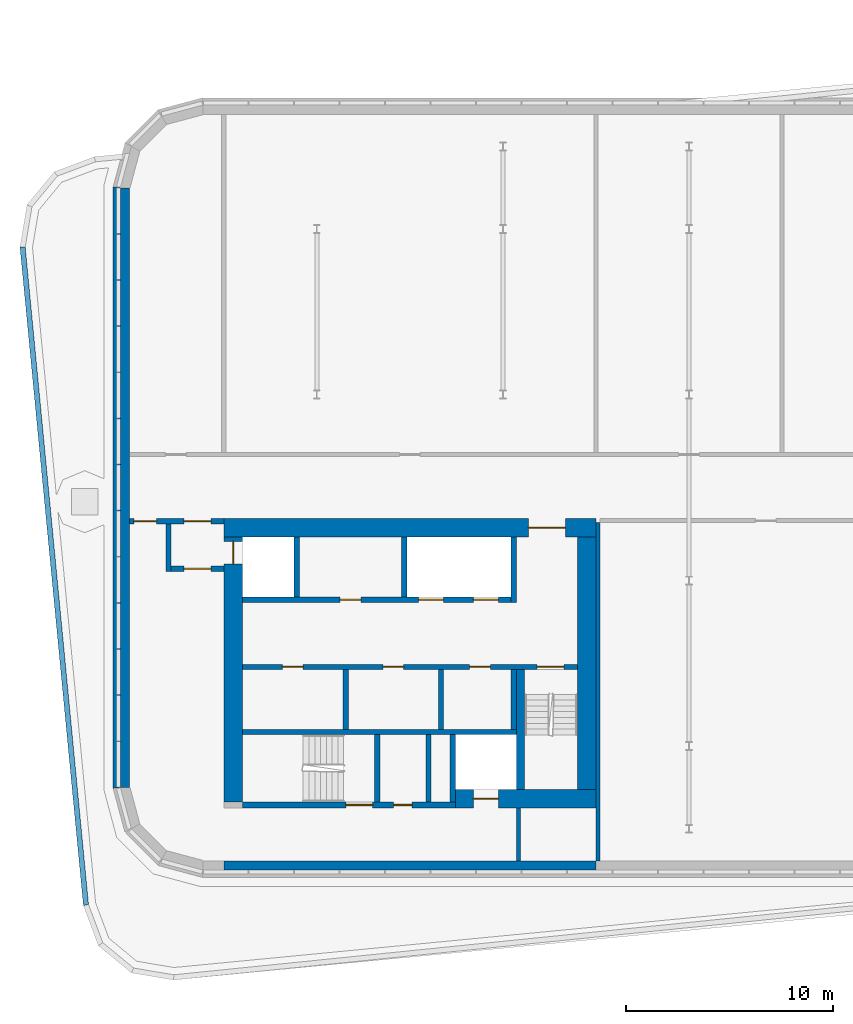
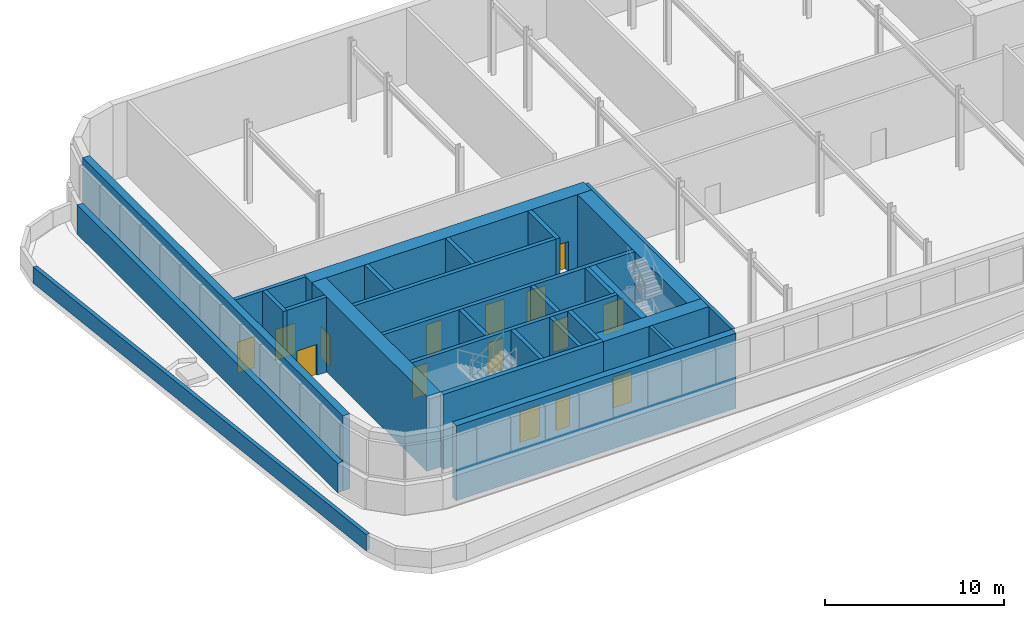
# One storey, part 6 of 16: 27 walls, 15 doors, 15 openings.
"""IFC4 building model written with IfcOpenShell, lengths in metres."""

import ifcopenshell
import ifcopenshell.guid

model = None  # the IFC model being written
_history = None  # IfcOwnerHistory: only IFC2X3 demands one
_inside = {}  # id of a spatial element -> (the spatial element, [elements in it])
_under = {}  # id of a project, library or spatial element -> (it, [spatial elements below it])
_declared = {}  # id of a project -> (the project, [libraries it declares])
_typed = {}  # id of a type object -> (the type object, [elements of that type])
_made_of = {}  # id of a material, layer set ... -> (it, [elements and type objects made of it])


def new_model(schema):
    """Start an empty IFC model of exactly this schema.

    Asked for "IFC4X3", IfcOpenShell would pick the latest addendum, in which some entities
    have other attributes; the version numbers below select the first issue.
    IFC2X3 requires an IfcOwnerHistory on every rooted entity: one is made here for all.
    """
    global model, _history
    if schema == "IFC4X3":
        model = ifcopenshell.file(schema_version=(4, 3, 0, 0))
    else:
        model = ifcopenshell.file(schema=schema)
    _inside.clear()
    _under.clear()
    _declared.clear()
    _typed.clear()
    _made_of.clear()
    _history = None
    if model.schema == "IFC2X3":
        org = make("IfcOrganization", Name="unknown")
        user = make(
            "IfcPersonAndOrganization",
            ThePerson=make("IfcPerson", FamilyName="unknown"),
            TheOrganization=org,
        )
        app = make(
            "IfcApplication",
            ApplicationDeveloper=org,
            Version="unknown",
            ApplicationFullName="unknown",
            ApplicationIdentifier="unknown",
        )
        _history = make(
            "IfcOwnerHistory",
            OwningUser=user,
            OwningApplication=app,
            ChangeAction="ADDED",
            CreationDate=0,
        )
    return model


def make(cls, **values):
    """One entity of the class cls with the attributes given. An attribute that is None is left unset."""
    return model.create_entity(
        cls, **{name: value for name, value in values.items() if value is not None}
    )


def rooted(cls, **values):
    """An entity with a GlobalId (a new one), such as an element, a storey or a relation."""
    return make(cls, GlobalId=ifcopenshell.guid.new(), OwnerHistory=_history, **values)


def si_unit(unit_type, name, prefix=None):
    """IfcSIUnit, for example si_unit("LENGTHUNIT", "METRE", prefix="MILLI")."""
    return make("IfcSIUnit", UnitType=unit_type, Prefix=prefix, Name=name)


def assignment(units):
    """IfcUnitAssignment: the units of a project."""
    return None if units is None else make("IfcUnitAssignment", Units=units)


def point(xyz):
    """IfcCartesianPoint."""
    return None if xyz is None else make("IfcCartesianPoint", Coordinates=xyz)


def direction(xyz):
    """IfcDirection."""
    return None if xyz is None else make("IfcDirection", DirectionRatios=xyz)


def frame(location, z_axis=None, x_axis=None):
    """IfcAxis2Placement3D, a coordinate frame: its origin and axes. An axis left out is left unset."""
    return make(
        "IfcAxis2Placement3D",
        Location=point(location),
        Axis=direction(z_axis),
        RefDirection=direction(x_axis),
    )


def frame_2d(location, x_axis=None):
    """IfcAxis2Placement2D, a coordinate frame in the plane: its origin and x axis."""
    return make(
        "IfcAxis2Placement2D", Location=point(location), RefDirection=direction(x_axis)
    )


def origin():
    """The frame at (0, 0, 0) with its axes left unset."""
    return frame((0.0, 0.0, 0.0))


def place(relative_to, where):
    """IfcLocalPlacement: puts the frame where relative to a parent placement (None: the world)."""
    return make(
        "IfcLocalPlacement", PlacementRelTo=relative_to, RelativePlacement=where
    )


def context(
    kind, dimensions, precision=None, world=None, true_north=None, identifier=None
):
    """IfcGeometricRepresentationContext, for example the 3D "Model" context."""
    return make(
        "IfcGeometricRepresentationContext",
        ContextIdentifier=identifier,
        ContextType=kind,
        CoordinateSpaceDimension=dimensions,
        Precision=precision,
        WorldCoordinateSystem=world,
        TrueNorth=true_north,
    )


def subcontext(parent, identifier, kind, view, scale=None):
    """IfcGeometricRepresentationSubContext, for example "Body" below "Model"."""
    return make(
        "IfcGeometricRepresentationSubContext",
        ContextIdentifier=identifier,
        ContextType=kind,
        ParentContext=parent,
        TargetScale=scale,
        TargetView=view,
    )


def project(units=None, contexts=None):
    """IfcProject with its units and contexts."""
    return rooted(
        "IfcProject",
        Name="project",
        RepresentationContexts=contexts,
        UnitsInContext=assignment(units),
    )


def spatial(cls, under=None, at=None, **own):
    """A site, building, storey or space (cls), placed at a placement, below another one or the project."""
    s = rooted(cls, ObjectPlacement=at, **own)
    if under is not None:
        _under.setdefault(under.id(), (under, []))[1].append(s)
    return s


def polyline(points):
    """IfcPolyline through the points."""
    return make("IfcPolyline", Points=[point(p) for p in points])


def profile(cls, at=None, kind="AREA", **sizes):
    """A parametric profile (cls). Its sizes go by their IFC names, for example OverallWidth=200.0."""
    return make(cls, ProfileType=kind, Position=at, **sizes)


def rectangle(**sizes):
    """IfcRectangleProfileDef."""
    return profile("IfcRectangleProfileDef", **sizes)


def outline(outer, holes=None, kind="AREA"):
    """IfcArbitraryClosedProfileDef: a profile drawn as a closed curve; with holes, ...WithVoids."""
    if holes is None:
        return make("IfcArbitraryClosedProfileDef", ProfileType=kind, OuterCurve=outer)
    return make(
        "IfcArbitraryProfileDefWithVoids",
        ProfileType=kind,
        OuterCurve=outer,
        InnerCurves=holes,
    )


def extrude(swept, where, along, depth):
    """IfcExtrudedAreaSolid: the profile swept, set in the frame where, extruded along a direction by depth."""
    return make(
        "IfcExtrudedAreaSolid",
        SweptArea=swept,
        Position=where,
        ExtrudedDirection=direction(along),
        Depth=depth,
    )


def shape(context_of_items, identifier, shape_type, items):
    """IfcShapeRepresentation: the items that make up one representation, for example the "Body"."""
    return make(
        "IfcShapeRepresentation",
        ContextOfItems=context_of_items,
        RepresentationIdentifier=identifier,
        RepresentationType=shape_type,
        Items=items,
    )


def material(Name=None, Category=None):
    """IfcMaterial."""
    return make("IfcMaterial", Name=Name, Category=Category)


def layer(
    of_material, thickness, ventilated=None, Name=None, Category=None, Priority=None
):
    """IfcMaterialLayer: one layer of a wall or slab, of a material (None: an air gap)."""
    return make(
        "IfcMaterialLayer",
        Material=of_material,
        LayerThickness=thickness,
        IsVentilated=ventilated,
        Name=Name,
        Category=Category,
        Priority=Priority,
    )


def layer_set(layers, Name=None):
    """IfcMaterialLayerSet."""
    return make("IfcMaterialLayerSet", MaterialLayers=layers, LayerSetName=Name)


def made_of(thing, what):
    """Note that an element or type object is made of a material, layer set ...; save() writes the relation."""
    if what is not None:
        _made_of.setdefault(what.id(), (what, []))[1].append(thing)
    return thing


def type_object(cls, material=None, **own):
    """A type object (cls), such as IfcWallType, which elements share."""
    return made_of(rooted(cls, **own), material)


def element(
    cls,
    number,
    at=None,
    inside=None,
    cuts=None,
    type_object=None,
    material=None,
    context=None,
    identifier="Body",
    shape_type=None,
    held_by="IfcProductDefinitionShape",
    body=None,
    shapes=None,
    **own,
):
    """One element of the class cls, such as IfcWall. Its Tag is "e" and its number.

    at: its placement. inside: the storey or other place that contains it. cuts: it is an
    opening in that element (IfcRelVoidsElement). A single representation is given by context,
    identifier, shape_type and body (its items); several are given by shapes. held_by: the class
    of the entity that holds the representations. save() writes the other relations.
    """
    e = rooted(cls, Tag="e%d" % number, ObjectPlacement=at, **own)
    if body is not None:
        shapes = [shape(context, identifier, shape_type, body)]
    if shapes is not None:
        e.Representation = make(held_by, Representations=shapes)
    if inside is not None:
        _inside.setdefault(inside.id(), (inside, []))[1].append(e)
    if cuts is not None:
        rooted(
            "IfcRelVoidsElement", RelatingBuildingElement=cuts, RelatedOpeningElement=e
        )
    if type_object is not None:
        _typed.setdefault(type_object.id(), (type_object, []))[1].append(e)
    return made_of(e, material)


def fill(opening, filler):
    """IfcRelFillsElement: the door or window that sits in an opening."""
    return rooted(
        "IfcRelFillsElement",
        RelatingOpeningElement=opening,
        RelatedBuildingElement=filler,
    )


def aggregate(whole, parts):
    """IfcRelAggregates: a whole, such as a stair, and the parts it consists of."""
    return rooted("IfcRelAggregates", RelatingObject=whole, RelatedObjects=parts)


def save(model, path):
    """Write the relations noted so far, then the file.

    IfcRelAggregates (storeys below a building ...), IfcRelContainedInSpatialStructure (elements
    in a storey), IfcRelDefinesByType, IfcRelAssociatesMaterial and IfcRelDeclares: one each for
    every whole, place, type object, material and project.
    """
    for whole, parts in _under.values():
        aggregate(whole, parts)
    for where, things in _inside.values():
        rooted(
            "IfcRelContainedInSpatialStructure",
            RelatedElements=things,
            RelatingStructure=where,
        )
    for kind, things in _typed.values():
        rooted("IfcRelDefinesByType", RelatedObjects=things, RelatingType=kind)
    for what, things in _made_of.values():
        rooted("IfcRelAssociatesMaterial", RelatedObjects=things, RelatingMaterial=what)
    for by, libraries in _declared.values():
        rooted("IfcRelDeclares", RelatingContext=by, RelatedDefinitions=libraries)
    model.write(path)


model = new_model("IFC4")

# Units and contexts
model_context = context("Model", 3, precision=1e-05, world=origin(), true_north=direction((0.0, 1.0)))
body_context = subcontext(model_context, "Body", "Model", "MODEL_VIEW")
ifc_project = project(units=[si_unit("LENGTHUNIT", "METRE"), si_unit("AREAUNIT", "SQUARE_METRE"), si_unit("VOLUMEUNIT", "CUBIC_METRE"), si_unit("PLANEANGLEUNIT", "RADIAN"), si_unit("MASSUNIT", "GRAM", prefix="KILO")], contexts=[model_context])

# Site, building, storey
site_placement = place(None, origin())
site = spatial("IfcSite", under=ifc_project, at=site_placement, CompositionType="ELEMENT")
building_placement = place(site_placement, origin())
building = spatial("IfcBuilding", under=site, at=building_placement, Name="Kajstack Hotel Tower", CompositionType="ELEMENT")
storey_placement = place(building_placement, frame((0.0, 0.0, 308.10009765625)))
storey = spatial("IfcBuildingStorey", under=building, at=storey_placement, Name="L78", CompositionType="ELEMENT", Elevation=308.10009765625)

# Wall
ifc_material_1 = material(Name="Concrete C40/50", Category="concrete")
ifc_layer_1 = layer(ifc_material_1, 0.35009765625)
ifc_layer_set_1 = layer_set([ifc_layer_1], Name="CROWN-BAND")
wall_type_1 = type_object("IfcWallType", Name="CROWN-BAND", PredefinedType="SOLIDWALL", material=ifc_layer_set_1)
wall_1_placement = place(storey_placement, origin())
element("IfcWall", 1, at=wall_1_placement, inside=storey, type_object=wall_type_1, Name="Crown band 22", PredefinedType="SOLIDWALL", context=body_context, shape_type="SweptSolid", body=[
    extrude(outline(polyline([(-36.5, 14.5), (-36.85009765625, 14.546142578125), (-36.85009765625, -14.546142578125), (-36.5, -14.5), (-36.5, 14.5)])), origin(), (0.0, 0.0, 1.0), 2.0),
])

# Wall, opening, door
ifc_material_2 = material(Name="Concrete C60/75", Category="concrete")
ifc_layer_2 = layer(ifc_material_2, 0.89990234375)
ifc_layer_set_2 = layer_set([ifc_layer_2], Name="Core wall 900")
wall_type_2 = type_object("IfcWallType", Name="Core wall 900", PredefinedType="SHEAR", material=ifc_layer_set_2)
wall_2_placement = place(storey_placement, frame((-31.5, -1.949951171875, 0.0), z_axis=(0.0, 0.0, 1.0), x_axis=(1.0, 0.0, 0.0)))
wall_2 = element("IfcWall", 2, at=wall_2_placement, inside=storey, type_object=wall_type_2, Name="Core wall W RN", PredefinedType="SHEAR", context=body_context, shape_type="SweptSolid", body=[
    extrude(rectangle(XDim=18.0, YDim=0.89990234375, at=frame_2d((9.0, 0.0))), origin(), (0.0, 0.0, 1.0), 5.099853515625),
])
opening_1_placement = place(wall_2_placement, frame((14.72509765625, 0.0, 0.0)))
opening_1 = element("IfcOpeningElement", 3, at=opening_1_placement, cuts=wall_2, Name="Opening 78W05", PredefinedType="OPENING", context=body_context, shape_type="SweptSolid", body=[
    extrude(rectangle(XDim=1.800048828125, YDim=2.10009765625, at=frame_2d((0.89990234375, 1.050048828125))), frame((0.0, 0.4599609375, 0.0), z_axis=(0.0, -1.0, 0.0), x_axis=(1.0, 0.0, 0.0)), (0.0, 0.0, 1.0), 0.919921875),
])
ifc_material_3 = material(Name="Glazed steel frame, fire-rated glass", Category="steel")
door_type_1 = type_object("IfcDoorType", Name="Lobby double door 1800", OperationType="DOUBLE_DOOR_DOUBLE_SWING", PredefinedType="DOOR", material=ifc_material_3)
door_1_placement = place(opening_1_placement, origin())
door_1 = element("IfcDoor", 4, at=door_1_placement, inside=storey, type_object=door_type_1, Name="Door 78W05", OperationType="DOUBLE_DOOR_DOUBLE_SWING", OverallHeight=2.10009765625, OverallWidth=1.800048828125, PredefinedType="DOOR", context=body_context, shape_type="SweptSolid", body=[
    extrude(rectangle(XDim=1.800048828125, YDim=2.10009765625, at=frame_2d((0.89990234375, 1.050048828125))), frame((0.0, 0.02490234375, 0.0), z_axis=(0.0, -1.0, 0.0), x_axis=(1.0, 0.0, 0.0)), (0.0, 0.0, 1.0), 0.050048828125),
])
fill(opening_1, door_1)

wall_3_placement = place(storey_placement, frame((-20.300048828125, -15.050048828125, 0.0), z_axis=(0.0, 0.0, 1.0), x_axis=(1.0, 0.0, 0.0)))
wall_3 = element("IfcWall", 5, at=wall_3_placement, inside=storey, type_object=wall_type_2, Name="Core wall W RS", PredefinedType="SHEAR", context=body_context, shape_type="SweptSolid", body=[
    extrude(rectangle(XDim=6.800048828125, YDim=0.89990234375, at=frame_2d((3.39990234375, 0.0))), origin(), (0.0, 0.0, 1.0), 5.099853515625),
])
opening_2_placement = place(wall_3_placement, frame((0.875, 0.0, 0.0)))
opening_2 = element("IfcOpeningElement", 6, at=opening_2_placement, cuts=wall_3, Name="Opening LD-SV1", PredefinedType="OPENING", context=body_context, shape_type="SweptSolid", body=[
    extrude(rectangle(XDim=1.199951171875, YDim=2.10009765625, at=frame_2d((0.60009765625, 1.050048828125))), frame((0.0, 0.4599609375, 0.0), z_axis=(0.0, -1.0, 0.0), x_axis=(1.0, 0.0, 0.0)), (0.0, 0.0, 1.0), 0.919921875),
])
ifc_material_4 = material(Name="Stainless steel", Category="steel")
door_type_2 = type_object("IfcDoorType", Name="Lift landing door 1200", OperationType="SLIDING_TO_LEFT", PredefinedType="DOOR", material=ifc_material_4)
door_2_placement = place(opening_2_placement, origin())
door_2 = element("IfcDoor", 7, at=door_2_placement, inside=storey, type_object=door_type_2, Name="Landing door SV1", OperationType="SLIDING_TO_LEFT", OverallHeight=2.10009765625, OverallWidth=1.199951171875, PredefinedType="DOOR", context=body_context, shape_type="SweptSolid", body=[
    extrude(rectangle(XDim=1.199951171875, YDim=2.10009765625, at=frame_2d((0.60009765625, 1.050048828125))), frame((0.0, 0.02490234375, 0.0), z_axis=(0.0, -1.0, 0.0), x_axis=(1.0, 0.0, 0.0)), (0.0, 0.0, 1.0), 0.050048828125),
])
fill(opening_2, door_2)

wall_4_placement = place(storey_placement, frame((-31.050048828125, -15.199951171875, 0.0), z_axis=(0.0, 0.0, 1.0), x_axis=(0.0, 1.0, 0.0)))
wall_4 = element("IfcWall", 8, at=wall_4_placement, inside=storey, type_object=wall_type_2, Name="Core wall W RW", PredefinedType="SHEAR", context=body_context, shape_type="SweptSolid", body=[
    extrude(rectangle(XDim=12.800048828125, YDim=0.89990234375, at=frame_2d((6.39990234375, 0.0))), origin(), (0.0, 0.0, 1.0), 5.099853515625),
])
opening_3_placement = place(wall_4_placement, frame((11.5, 0.0, 0.0)))
opening_3 = element("IfcOpeningElement", 9, at=opening_3_placement, cuts=wall_4, Name="Opening LD-FF1", PredefinedType="OPENING", context=body_context, shape_type="SweptSolid", body=[
    extrude(rectangle(XDim=1.10009765625, YDim=2.10009765625, at=frame_2d((0.550048828125, 1.050048828125))), frame((0.0, 0.4599609375, 0.0), z_axis=(0.0, -1.0, 0.0), x_axis=(1.0, 0.0, 0.0)), (0.0, 0.0, 1.0), 0.919921875),
])
door_type_3 = type_object("IfcDoorType", Name="Fire-fighting lift landing door 1100", OperationType="SLIDING_TO_LEFT", PredefinedType="DOOR", material=ifc_material_4)
door_3_placement = place(opening_3_placement, origin())
door_3 = element("IfcDoor", 10, at=door_3_placement, inside=storey, type_object=door_type_3, Name="Landing door FF1", OperationType="SLIDING_TO_RIGHT", OverallHeight=2.10009765625, OverallWidth=1.10009765625, PredefinedType="DOOR", context=body_context, shape_type="SweptSolid", body=[
    extrude(rectangle(XDim=1.10009765625, YDim=2.10009765625, at=frame_2d((0.550048828125, 1.050048828125))), frame((0.0, 0.02490234375, 0.0), z_axis=(0.0, -1.0, 0.0), x_axis=(1.0, 0.0, 0.0)), (0.0, 0.0, 1.0), 0.050048828125),
])
fill(opening_3, door_3)

# Walls
wall_5_placement = place(storey_placement, frame((-13.949951171875, -14.60009765625, 0.0), z_axis=(0.0, 0.0, 1.0), x_axis=(0.0, 1.0, 0.0)))
element("IfcWall", 11, at=wall_5_placement, inside=storey, type_object=wall_type_2, Name="Core wall W RE", PredefinedType="SHEAR", context=body_context, shape_type="SweptSolid", body=[
    extrude(rectangle(XDim=12.2001953125, YDim=0.89990234375, at=frame_2d((6.10009765625, 0.0))), origin(), (0.0, 0.0, 1.0), 5.099853515625),
])
ifc_layer_3 = layer(ifc_material_1, 0.449951171875)
ifc_layer_set_3 = layer_set([ifc_layer_3], Name="EW-CORE")
wall_type_3 = type_object("IfcWallType", Name="EW-CORE", PredefinedType="SOLIDWALL", material=ifc_layer_set_3)
wall_6_placement = place(storey_placement, frame((-31.5, -18.27490234375, 0.0), z_axis=(0.0, 0.0, 1.0), x_axis=(1.0, 0.0, 0.0)))
element("IfcWall", 12, at=wall_6_placement, inside=storey, type_object=wall_type_3, Name="E-wall-L78-03-01", PredefinedType="SOLIDWALL", context=body_context, shape_type="SweptSolid", body=[
    extrude(rectangle(XDim=18.0, YDim=0.449951171875, at=frame_2d((9.0, 0.0))), origin(), (0.0, 0.0, 1.0), 5.099853515625),
])
ifc_material_5 = material(Name="Zinc-clad block masonry", Category="masonry")
ifc_layer_4 = layer(ifc_material_5, 0.449951171875)
ifc_layer_set_4 = layer_set([ifc_layer_4], Name="EW-ZINC")
wall_type_4 = type_object("IfcWallType", Name="EW-ZINC", PredefinedType="SOLIDWALL", material=ifc_layer_set_4)
wall_7_placement = place(storey_placement, frame((-36.27490234375, 14.5, 0.0), z_axis=(0.0, 0.0, 1.0), x_axis=(0.0, -1.0, 0.0)))
element("IfcWall", 13, at=wall_7_placement, inside=storey, type_object=wall_type_4, Name="E-wall-L78-15-00", PredefinedType="SOLIDWALL", context=body_context, shape_type="SweptSolid", body=[
    extrude(rectangle(XDim=29.0, YDim=0.449951171875, at=frame_2d((14.5, 0.0))), origin(), (0.0, 0.0, 1.0), 5.099853515625),
])
ifc_material_6 = material(Name="Concrete C50/60", Category="concrete")
ifc_layer_5 = layer(ifc_material_6, 0.300048828125)
ifc_layer_set_5 = layer_set([ifc_layer_5], Name="Hoistway divider wall 300")
wall_type_5 = type_object("IfcWallType", Name="Hoistway divider wall 300", PredefinedType="SHEAR", material=ifc_layer_set_5)
wall_8_placement = place(storey_placement, frame((-22.77490234375, -5.300048828125, 0.0), z_axis=(0.0, 0.0, 1.0), x_axis=(0.0, 1.0, 0.0)))
element("IfcWall", 14, at=wall_8_placement, inside=storey, type_object=wall_type_5, Name="Core wall W AP2", PredefinedType="SHEAR", context=body_context, shape_type="SweptSolid", body=[
    extrude(rectangle(XDim=2.900146484375, YDim=0.25, at=frame_2d((1.4501953125, 0.0))), origin(), (0.0, 0.0, 1.0), 5.099853515625),
])
ifc_layer_6 = layer(ifc_material_5, 0.25)
ifc_layer_set_6 = layer_set([ifc_layer_6], Name="PARAPET-ZINC")
wall_type_6 = type_object("IfcWallType", Name="PARAPET-ZINC", PredefinedType="PARAPET", material=ifc_layer_set_6)
wall_9_placement = place(storey_placement, origin())
element("IfcWall", 15, at=wall_9_placement, inside=storey, type_object=wall_type_6, Name="Parapet L78-01-01-05", PredefinedType="PARAPET", context=body_context, shape_type="SweptSolid", body=[
    extrude(outline(polyline([(-38.289306640625, -20.21630859375), (-38.04345703125, -20.15966796875), (-41.104248046875, 11.62744140625), (-41.356201171875, 11.63623046875), (-38.289306640625, -20.21630859375)])), origin(), (0.0, 0.0, 1.0), 1.099853515625),
])
ifc_material_7 = material(Name="Gypsum board on steel studs, mineral wool", Category="steel")
ifc_layer_7 = layer(ifc_material_7, 0.199951171875)
ifc_layer_set_7 = layer_set([ifc_layer_7], Name="Public partition 200")
wall_type_7 = type_object("IfcWallType", Name="Public partition 200", PredefinedType="PARTITIONING", material=ifc_layer_set_7)
wall_10_placement = place(storey_placement, frame((-13.39990234375, -18.050048828125, 0.0), z_axis=(0.0, 0.0, 1.0), x_axis=(0.0, 1.0, 0.0)))
element("IfcWall", 16, at=wall_10_placement, inside=storey, type_object=wall_type_7, Name="Partition SEW", PredefinedType="PARTITIONING", context=body_context, shape_type="SweptSolid", body=[
    extrude(rectangle(XDim=16.35009765625, YDim=0.199951171875, at=frame_2d((8.175048828125, 0.0))), origin(), (0.0, 0.0, 1.0), 5.099853515625),
])
ifc_material_8 = material(Name="Concrete block masonry", Category="masonry")
ifc_layer_8 = layer(ifc_material_8, 0.25)
ifc_layer_set_8 = layer_set([ifc_layer_8], Name="Riser partition 250")
wall_type_8 = type_object("IfcWallType", Name="Riser partition 250", PredefinedType="PARTITIONING", material=ifc_layer_set_8)
for number, where, z_axis, x_axis, name in (
    (17, (-25.60009765625, -11.699951171875, 0.0), (0.0, 0.0, 1.0), (0.0, 1.0, 0.0), "Partition W BF0"),
    (18, (-21.0, -11.699951171875, 0.0), (0.0, 0.0, 1.0), (0.0, 1.0, 0.0), "Partition W BF1"),
):
    element("IfcWall", number, at=place(storey_placement, frame(where, z_axis=z_axis, x_axis=x_axis)), inside=storey, type_object=wall_type_8, Name=name, PredefinedType="PARTITIONING", context=body_context, shape_type="SweptSolid", body=[
        extrude(rectangle(XDim=2.89990234375, YDim=0.25, at=frame_2d((1.449951171875, 0.0))), origin(), (0.0, 0.0, 1.0), 5.099853515625),
    ])
wall_11_placement = place(storey_placement, frame((-21.60009765625, -15.199951171875, 0.0), z_axis=(0.0, 0.0, 1.0), x_axis=(0.0, 1.0, 0.0)))
element("IfcWall", 19, at=wall_11_placement, inside=storey, type_object=wall_type_8, Name="Partition W SZ0", PredefinedType="PARTITIONING", context=body_context, shape_type="SweptSolid", body=[
    extrude(rectangle(XDim=3.25, YDim=0.25, at=frame_2d((1.625, 0.0))), origin(), (0.0, 0.0, 1.0), 5.099853515625),
])

# Wall, openings, doors
ifc_layer_9 = layer(ifc_material_7, 0.199951171875)
ifc_layer_set_9 = layer_set([ifc_layer_9], Name="Service partition 200")
wall_type_9 = type_object("IfcWallType", Name="Service partition 200", PredefinedType="PARTITIONING", material=ifc_layer_set_9)
wall_12_placement = place(storey_placement, frame((-36.050048828125, -1.625, 0.0), z_axis=(0.0, 0.0, 1.0), x_axis=(1.0, 0.0, 0.0)))
wall_12 = element("IfcWall", 20, at=wall_12_placement, inside=storey, type_object=wall_type_9, Name="Partition W SN", PredefinedType="PARTITIONING", context=body_context, shape_type="SweptSolid", body=[
    extrude(rectangle(XDim=4.550048828125, YDim=0.25, at=frame_2d((2.27490234375, 0.0))), origin(), (0.0, 0.0, 1.0), 5.099853515625),
])
opening_4_placement = place(wall_12_placement, frame((2.625, 0.0, 0.0)))
opening_4 = element("IfcOpeningElement", 21, at=opening_4_placement, cuts=wall_12, Name="Opening 78W06", PredefinedType="OPENING", context=body_context, shape_type="SweptSolid", body=[
    extrude(rectangle(XDim=1.300048828125, YDim=2.10009765625, at=frame_2d((0.64990234375, 1.050048828125))), frame((0.0, 0.135009765625, 0.0), z_axis=(0.0, -1.0, 0.0), x_axis=(1.0, 0.0, 0.0)), (0.0, 0.0, 1.0), 0.27001953125),
])
opening_5_placement = place(wall_12_placement, frame((0.199951171875, 0.0, 0.0)))
opening_5 = element("IfcOpeningElement", 22, at=opening_5_placement, cuts=wall_12, Name="Opening 78W08", PredefinedType="OPENING", context=body_context, shape_type="SweptSolid", body=[
    extrude(rectangle(XDim=1.10009765625, YDim=2.10009765625, at=frame_2d((0.550048828125, 1.050048828125))), frame((0.0, 0.135009765625, 0.0), z_axis=(0.0, -1.0, 0.0), x_axis=(1.0, 0.0, 0.0)), (0.0, 0.0, 1.0), 0.27001953125),
])
ifc_material_9 = material(Name="Steel leaf, fire-rated", Category="steel")
door_type_4 = type_object("IfcDoorType", Name="Fire lobby door 1300", OperationType="SINGLE_SWING_LEFT", PredefinedType="DOOR", material=ifc_material_9)
door_4_placement = place(opening_4_placement, origin())
door_4 = element("IfcDoor", 23, at=door_4_placement, inside=storey, type_object=door_type_4, Name="Door 78W06", OperationType="SINGLE_SWING_RIGHT", OverallHeight=2.10009765625, OverallWidth=1.300048828125, PredefinedType="DOOR", context=body_context, shape_type="SweptSolid", body=[
    extrude(rectangle(XDim=1.300048828125, YDim=2.10009765625, at=frame_2d((0.64990234375, 1.050048828125))), frame((0.0, 0.02490234375, 0.0), z_axis=(0.0, -1.0, 0.0), x_axis=(1.0, 0.0, 0.0)), (0.0, 0.0, 1.0), 0.050048828125),
])
fill(opening_4, door_4)
ifc_material_10 = material(Name="Timber leaf, fire-rated", Category="wood")
door_type_5 = type_object("IfcDoorType", Name="Service corridor door 1100", OperationType="SINGLE_SWING_LEFT", PredefinedType="DOOR", material=ifc_material_10)
door_5_placement = place(opening_5_placement, origin())
door_5 = element("IfcDoor", 24, at=door_5_placement, inside=storey, type_object=door_type_5, Name="Door 78W08", OperationType="SINGLE_SWING_RIGHT", OverallHeight=2.10009765625, OverallWidth=1.10009765625, PredefinedType="DOOR", context=body_context, shape_type="SweptSolid", body=[
    extrude(rectangle(XDim=1.10009765625, YDim=2.10009765625, at=frame_2d((0.550048828125, 1.050048828125))), frame((0.0, 0.02490234375, 0.0), z_axis=(0.0, -1.0, 0.0), x_axis=(1.0, 0.0, 0.0)), (0.0, 0.0, 1.0), 0.050048828125),
])
fill(opening_5, door_5)

# Wall
wall_13_placement = place(storey_placement, frame((-17.25, -18.050048828125, 0.0), z_axis=(0.0, 0.0, 1.0), x_axis=(0.0, 1.0, 0.0)))
element("IfcWall", 25, at=wall_13_placement, inside=storey, type_object=wall_type_9, Name="Partition W SCE", PredefinedType="PARTITIONING", context=body_context, shape_type="SweptSolid", body=[
    extrude(rectangle(XDim=2.550048828125, YDim=0.199951171875, at=frame_2d((1.27490234375, 0.0))), origin(), (0.0, 0.0, 1.0), 5.099853515625),
])

# Wall, openings, doors
ifc_layer_10 = layer(ifc_material_6, 0.25)
ifc_layer_set_10 = layer_set([ifc_layer_10], Name="Shaft wall 250")
wall_type_10 = type_object("IfcWallType", Name="Shaft wall 250", PredefinedType="SHEAR", material=ifc_layer_set_10)
wall_14_placement = place(storey_placement, frame((-30.60009765625, -15.35009765625, 0.0), z_axis=(0.0, 0.0, 1.0), x_axis=(1.0, 0.0, 0.0)))
wall_14 = element("IfcWall", 26, at=wall_14_placement, inside=storey, type_object=wall_type_10, Name="Core wall W RSS", PredefinedType="SHEAR", context=body_context, shape_type="SweptSolid", body=[
    extrude(rectangle(XDim=10.300048828125, YDim=0.300048828125, at=frame_2d((5.14990234375, 0.0))), origin(), (0.0, 0.0, 1.0), 5.099853515625),
])
opening_6_placement = place(wall_14_placement, frame((5.0, 0.0, 0.0)))
opening_6 = element("IfcOpeningElement", 27, at=opening_6_placement, cuts=wall_14, Name="Opening 78W10", PredefinedType="OPENING", context=body_context, shape_type="SweptSolid", body=[
    extrude(rectangle(XDim=1.300048828125, YDim=2.10009765625, at=frame_2d((0.64990234375, 1.050048828125))), frame((0.0, 0.159912109375, 0.0), z_axis=(0.0, -1.0, 0.0), x_axis=(1.0, 0.0, 0.0)), (0.0, 0.0, 1.0), 0.320068359375),
])
opening_7_placement = place(wall_14_placement, frame((7.3125, 0.0, 0.0)))
opening_7 = element("IfcOpeningElement", 28, at=opening_7_placement, cuts=wall_14, Name="Opening 78W11", PredefinedType="OPENING", context=body_context, shape_type="SweptSolid", body=[
    extrude(rectangle(XDim=0.89990234375, YDim=2.10009765625, at=frame_2d((0.449951171875, 1.050048828125))), frame((0.0, 0.159912109375, 0.0), z_axis=(0.0, -1.0, 0.0), x_axis=(1.0, 0.0, 0.0)), (0.0, 0.0, 1.0), 0.320068359375),
])
door_type_6 = type_object("IfcDoorType", Name="Service door 900", OperationType="SINGLE_SWING_LEFT", PredefinedType="DOOR", material=ifc_material_10)
door_6_placement = place(opening_7_placement, origin())
door_6 = element("IfcDoor", 29, at=door_6_placement, inside=storey, type_object=door_type_6, Name="Door 78W11", OperationType="SINGLE_SWING_LEFT", OverallHeight=2.10009765625, OverallWidth=0.89990234375, PredefinedType="DOOR", context=body_context, shape_type="SweptSolid", body=[
    extrude(rectangle(XDim=0.89990234375, YDim=2.10009765625, at=frame_2d((0.449951171875, 1.050048828125))), frame((0.0, 0.02490234375, 0.0), z_axis=(0.0, -1.0, 0.0), x_axis=(1.0, 0.0, 0.0)), (0.0, 0.0, 1.0), 0.050048828125),
])
fill(opening_7, door_6)
door_type_7 = type_object("IfcDoorType", Name="Stair door 1300", OperationType="SINGLE_SWING_LEFT", PredefinedType="DOOR", material=ifc_material_9)
door_7_placement = place(opening_6_placement, origin())
door_7 = element("IfcDoor", 30, at=door_7_placement, inside=storey, type_object=door_type_7, Name="Door 78W10", OperationType="SINGLE_SWING_RIGHT", OverallHeight=2.10009765625, OverallWidth=1.300048828125, PredefinedType="DOOR", context=body_context, shape_type="SweptSolid", body=[
    extrude(rectangle(XDim=1.300048828125, YDim=2.10009765625, at=frame_2d((0.64990234375, 1.050048828125))), frame((0.0, 0.02490234375, 0.0), z_axis=(0.0, -1.0, 0.0), x_axis=(1.0, 0.0, 0.0)), (0.0, 0.0, 1.0), 0.050048828125),
])
fill(opening_6, door_7)

wall_15_placement = place(storey_placement, frame((-30.60009765625, -5.425048828125, 0.0), z_axis=(0.0, 0.0, 1.0), x_axis=(1.0, 0.0, 0.0)))
wall_15 = element("IfcWall", 31, at=wall_15_placement, inside=storey, type_object=wall_type_10, Name="Core wall W FA", PredefinedType="SHEAR", context=body_context, shape_type="SweptSolid", body=[
    extrude(rectangle(XDim=13.0, YDim=0.25, at=frame_2d((6.5, 0.0))), origin(), (0.0, 0.0, 1.0), 5.099853515625),
])
opening_8_placement = place(wall_15_placement, frame((8.52490234375, 0.0, 0.0)))
opening_8 = element("IfcOpeningElement", 32, at=opening_8_placement, cuts=wall_15, Name="Opening LD-HR1", PredefinedType="OPENING", context=body_context, shape_type="SweptSolid", body=[
    extrude(rectangle(XDim=1.199951171875, YDim=2.10009765625, at=frame_2d((0.60009765625, 1.050048828125))), frame((0.0, 0.135009765625, 0.0), z_axis=(0.0, -1.0, 0.0), x_axis=(1.0, 0.0, 0.0)), (0.0, 0.0, 1.0), 0.27001953125),
])
opening_9_placement = place(wall_15_placement, frame((11.175048828125, 0.0, 0.0)))
opening_9 = element("IfcOpeningElement", 33, at=opening_9_placement, cuts=wall_15, Name="Opening LD-HR2", PredefinedType="OPENING", context=body_context, shape_type="SweptSolid", body=[
    extrude(rectangle(XDim=1.199951171875, YDim=2.10009765625, at=frame_2d((0.60009765625, 1.050048828125))), frame((0.0, 0.135009765625, 0.0), z_axis=(0.0, -1.0, 0.0), x_axis=(1.0, 0.0, 0.0)), (0.0, 0.0, 1.0), 0.27001953125),
])
opening_10_placement = place(wall_15_placement, frame((4.72509765625, 0.0, 0.0)))
opening_10 = element("IfcOpeningElement", 34, at=opening_10_placement, cuts=wall_15, Name="Opening 78W15", PredefinedType="OPENING", context=body_context, shape_type="SweptSolid", body=[
    extrude(rectangle(XDim=1.0, YDim=2.10009765625, at=frame_2d((0.5, 1.050048828125))), frame((0.0, 0.135009765625, 0.0), z_axis=(0.0, -1.0, 0.0), x_axis=(1.0, 0.0, 0.0)), (0.0, 0.0, 1.0), 0.27001953125),
])
door_8_placement = place(opening_8_placement, origin())
door_8 = element("IfcDoor", 35, at=door_8_placement, inside=storey, type_object=door_type_2, Name="Landing door HR1", OperationType="SLIDING_TO_LEFT", OverallHeight=2.10009765625, OverallWidth=1.199951171875, PredefinedType="DOOR", context=body_context, shape_type="SweptSolid", body=[
    extrude(rectangle(XDim=1.199951171875, YDim=2.10009765625, at=frame_2d((0.60009765625, 1.050048828125))), frame((0.0, 0.02490234375, 0.0), z_axis=(0.0, -1.0, 0.0), x_axis=(1.0, 0.0, 0.0)), (0.0, 0.0, 1.0), 0.050048828125),
])
fill(opening_8, door_8)
door_9_placement = place(opening_9_placement, origin())
door_9 = element("IfcDoor", 36, at=door_9_placement, inside=storey, type_object=door_type_2, Name="Landing door HR2", OperationType="SLIDING_TO_RIGHT", OverallHeight=2.10009765625, OverallWidth=1.199951171875, PredefinedType="DOOR", context=body_context, shape_type="SweptSolid", body=[
    extrude(rectangle(XDim=1.199951171875, YDim=2.10009765625, at=frame_2d((0.60009765625, 1.050048828125))), frame((0.0, 0.02490234375, 0.0), z_axis=(0.0, -1.0, 0.0), x_axis=(1.0, 0.0, 0.0)), (0.0, 0.0, 1.0), 0.050048828125),
])
fill(opening_9, door_9)
door_type_8 = type_object("IfcDoorType", Name="Service room door 1000", OperationType="SINGLE_SWING_LEFT", PredefinedType="DOOR", material=ifc_material_10)
door_10_placement = place(opening_10_placement, origin())
door_10 = element("IfcDoor", 37, at=door_10_placement, inside=storey, type_object=door_type_8, Name="Door 78W15", OperationType="SINGLE_SWING_RIGHT", OverallHeight=2.10009765625, OverallWidth=1.0, PredefinedType="DOOR", context=body_context, shape_type="SweptSolid", body=[
    extrude(rectangle(XDim=1.0, YDim=2.10009765625, at=frame_2d((0.5, 1.050048828125))), frame((0.0, 0.02490234375, 0.0), z_axis=(0.0, -1.0, 0.0), x_axis=(1.0, 0.0, 0.0)), (0.0, 0.0, 1.0), 0.050048828125),
])
fill(opening_10, door_10)

# Walls
wall_16_placement = place(storey_placement, frame((-17.47509765625, -5.550048828125, 0.0), z_axis=(0.0, 0.0, 1.0), x_axis=(0.0, 1.0, 0.0)))
element("IfcWall", 38, at=wall_16_placement, inside=storey, type_object=wall_type_10, Name="Core wall W AE", PredefinedType="SHEAR", context=body_context, shape_type="SweptSolid", body=[
    extrude(rectangle(XDim=3.150146484375, YDim=0.25, at=frame_2d((1.5751953125, 0.0))), origin(), (0.0, 0.0, 1.0), 5.099853515625),
])
wall_17_placement = place(storey_placement, frame((-27.97509765625, -5.300048828125, 0.0), z_axis=(0.0, 0.0, 1.0), x_axis=(0.0, 1.0, 0.0)))
element("IfcWall", 39, at=wall_17_placement, inside=storey, type_object=wall_type_10, Name="Core wall W AP0", PredefinedType="SHEAR", context=body_context, shape_type="SweptSolid", body=[
    extrude(rectangle(XDim=2.900146484375, YDim=0.25, at=frame_2d((1.4501953125, 0.0))), origin(), (0.0, 0.0, 1.0), 5.099853515625),
])

# Wall, openings, doors
wall_18_placement = place(storey_placement, frame((-30.60009765625, -8.675048828125, 0.0), z_axis=(0.0, 0.0, 1.0), x_axis=(1.0, 0.0, 0.0)))
wall_18 = element("IfcWall", 40, at=wall_18_placement, inside=storey, type_object=wall_type_10, Name="Core wall W FB", PredefinedType="SHEAR", context=body_context, shape_type="SweptSolid", body=[
    extrude(rectangle(XDim=16.2001953125, YDim=0.25, at=frame_2d((8.10009765625, 0.0))), origin(), (0.0, 0.0, 1.0), 5.099853515625),
])
opening_11_placement = place(wall_18_placement, frame((14.25, 0.0, 0.0)))
opening_11 = element("IfcOpeningElement", 41, at=opening_11_placement, cuts=wall_18, Name="Opening 78W09", PredefinedType="OPENING", context=body_context, shape_type="SweptSolid", body=[
    extrude(rectangle(XDim=1.300048828125, YDim=2.10009765625, at=frame_2d((0.64990234375, 1.050048828125))), frame((0.0, 0.135009765625, 0.0), z_axis=(0.0, -1.0, 0.0), x_axis=(1.0, 0.0, 0.0)), (0.0, 0.0, 1.0), 0.27001953125),
])
opening_12_placement = place(wall_18_placement, frame((1.9375, 0.0, 0.0)))
opening_12 = element("IfcOpeningElement", 42, at=opening_12_placement, cuts=wall_18, Name="Opening 78W12", PredefinedType="OPENING", context=body_context, shape_type="SweptSolid", body=[
    extrude(rectangle(XDim=1.0, YDim=2.10009765625, at=frame_2d((0.5, 1.050048828125))), frame((0.0, 0.135009765625, 0.0), z_axis=(0.0, -1.0, 0.0), x_axis=(1.0, 0.0, 0.0)), (0.0, 0.0, 1.0), 0.27001953125),
])
opening_13_placement = place(wall_18_placement, frame((6.800048828125, 0.0, 0.0)))
opening_13 = element("IfcOpeningElement", 43, at=opening_13_placement, cuts=wall_18, Name="Opening 78W13", PredefinedType="OPENING", context=body_context, shape_type="SweptSolid", body=[
    extrude(rectangle(XDim=1.0, YDim=2.10009765625, at=frame_2d((0.5, 1.050048828125))), frame((0.0, 0.135009765625, 0.0), z_axis=(0.0, -1.0, 0.0), x_axis=(1.0, 0.0, 0.0)), (0.0, 0.0, 1.0), 0.27001953125),
])
opening_14_placement = place(wall_18_placement, frame((10.987548828125, 0.0, 0.0)))
opening_14 = element("IfcOpeningElement", 44, at=opening_14_placement, cuts=wall_18, Name="Opening 78W14", PredefinedType="OPENING", context=body_context, shape_type="SweptSolid", body=[
    extrude(rectangle(XDim=1.0, YDim=2.10009765625, at=frame_2d((0.5, 1.050048828125))), frame((0.0, 0.135009765625, 0.0), z_axis=(0.0, -1.0, 0.0), x_axis=(1.0, 0.0, 0.0)), (0.0, 0.0, 1.0), 0.27001953125),
])
door_11_placement = place(opening_12_placement, origin())
door_11 = element("IfcDoor", 45, at=door_11_placement, inside=storey, type_object=door_type_8, Name="Door 78W12", OperationType="SINGLE_SWING_RIGHT", OverallHeight=2.10009765625, OverallWidth=1.0, PredefinedType="DOOR", context=body_context, shape_type="SweptSolid", body=[
    extrude(rectangle(XDim=1.0, YDim=2.10009765625, at=frame_2d((0.5, 1.050048828125))), frame((0.0, 0.02490234375, 0.0), z_axis=(0.0, -1.0, 0.0), x_axis=(1.0, 0.0, 0.0)), (0.0, 0.0, 1.0), 0.050048828125),
])
fill(opening_12, door_11)
door_12_placement = place(opening_13_placement, origin())
door_12 = element("IfcDoor", 46, at=door_12_placement, inside=storey, type_object=door_type_8, Name="Door 78W13", OperationType="SINGLE_SWING_RIGHT", OverallHeight=2.10009765625, OverallWidth=1.0, PredefinedType="DOOR", context=body_context, shape_type="SweptSolid", body=[
    extrude(rectangle(XDim=1.0, YDim=2.10009765625, at=frame_2d((0.5, 1.050048828125))), frame((0.0, 0.02490234375, 0.0), z_axis=(0.0, -1.0, 0.0), x_axis=(1.0, 0.0, 0.0)), (0.0, 0.0, 1.0), 0.050048828125),
])
fill(opening_13, door_12)
door_13_placement = place(opening_14_placement, origin())
door_13 = element("IfcDoor", 47, at=door_13_placement, inside=storey, type_object=door_type_8, Name="Door 78W14", OperationType="SINGLE_SWING_RIGHT", OverallHeight=2.10009765625, OverallWidth=1.0, PredefinedType="DOOR", context=body_context, shape_type="SweptSolid", body=[
    extrude(rectangle(XDim=1.0, YDim=2.10009765625, at=frame_2d((0.5, 1.050048828125))), frame((0.0, 0.02490234375, 0.0), z_axis=(0.0, -1.0, 0.0), x_axis=(1.0, 0.0, 0.0)), (0.0, 0.0, 1.0), 0.050048828125),
])
fill(opening_14, door_13)
door_14_placement = place(opening_11_placement, origin())
door_14 = element("IfcDoor", 48, at=door_14_placement, inside=storey, type_object=door_type_7, Name="Door 78W09", OperationType="SINGLE_SWING_RIGHT", OverallHeight=2.10009765625, OverallWidth=1.300048828125, PredefinedType="DOOR", context=body_context, shape_type="SweptSolid", body=[
    extrude(rectangle(XDim=1.300048828125, YDim=2.10009765625, at=frame_2d((0.64990234375, 1.050048828125))), frame((0.0, 0.02490234375, 0.0), z_axis=(0.0, -1.0, 0.0), x_axis=(1.0, 0.0, 0.0)), (0.0, 0.0, 1.0), 0.050048828125),
])
fill(opening_11, door_14)

# Walls
wall_19_placement = place(storey_placement, frame((-30.60009765625, -11.824951171875, 0.0), z_axis=(0.0, 0.0, 1.0), x_axis=(1.0, 0.0, 0.0)))
element("IfcWall", 49, at=wall_19_placement, inside=storey, type_object=wall_type_10, Name="Core wall W RB", PredefinedType="SHEAR", context=body_context, shape_type="SweptSolid", body=[
    extrude(rectangle(XDim=13.25, YDim=0.25, at=frame_2d((6.625, 0.0))), origin(), (0.0, 0.0, 1.0), 5.099853515625),
])
wall_20_placement = place(storey_placement, frame((-17.47509765625, -11.699951171875, 0.0), z_axis=(0.0, 0.0, 1.0), x_axis=(0.0, 1.0, 0.0)))
element("IfcWall", 50, at=wall_20_placement, inside=storey, type_object=wall_type_10, Name="Core wall W BE", PredefinedType="SHEAR", context=body_context, shape_type="SweptSolid", body=[
    extrude(rectangle(XDim=2.89990234375, YDim=0.25, at=frame_2d((1.449951171875, 0.0))), origin(), (0.0, 0.0, 1.0), 5.099853515625),
])
wall_21_placement = place(storey_placement, frame((-20.425048828125, -15.199951171875, 0.0), z_axis=(0.0, 0.0, 1.0), x_axis=(0.0, 1.0, 0.0)))
element("IfcWall", 51, at=wall_21_placement, inside=storey, type_object=wall_type_10, Name="Core wall W SVW", PredefinedType="SHEAR", context=body_context, shape_type="SweptSolid", body=[
    extrude(rectangle(XDim=3.25, YDim=0.25, at=frame_2d((1.625, 0.0))), origin(), (0.0, 0.0, 1.0), 5.099853515625),
])

# Wall, opening, door
ifc_layer_11 = layer(ifc_material_1, 0.25)
ifc_layer_set_11 = layer_set([ifc_layer_11], Name="Stair enclosure wall 250")
wall_type_11 = type_object("IfcWallType", Name="Stair enclosure wall 250", PredefinedType="SHEAR", material=ifc_layer_set_11)
wall_22_placement = place(storey_placement, frame((-34.050048828125, -3.925048828125, 0.0), z_axis=(0.0, 0.0, 1.0), x_axis=(1.0, 0.0, 0.0)))
wall_22 = element("IfcWall", 52, at=wall_22_placement, inside=storey, type_object=wall_type_11, Name="Core wall W W1N", PredefinedType="SHEAR", context=body_context, shape_type="SweptSolid", body=[
    extrude(rectangle(XDim=2.550048828125, YDim=0.25, at=frame_2d((1.27490234375, 0.0))), origin(), (0.0, 0.0, 1.0), 5.099853515625),
])
opening_15_placement = place(wall_22_placement, frame((0.625, 0.0, 0.0)))
opening_15 = element("IfcOpeningElement", 53, at=opening_15_placement, cuts=wall_22, Name="Opening 78W07", PredefinedType="OPENING", context=body_context, shape_type="SweptSolid", body=[
    extrude(rectangle(XDim=1.300048828125, YDim=2.10009765625, at=frame_2d((0.64990234375, 1.050048828125))), frame((0.0, 0.135009765625, 0.0), z_axis=(0.0, -1.0, 0.0), x_axis=(1.0, 0.0, 0.0)), (0.0, 0.0, 1.0), 0.27001953125),
])
door_15_placement = place(opening_15_placement, origin())
door_15 = element("IfcDoor", 54, at=door_15_placement, inside=storey, type_object=door_type_4, Name="Door 78W07", OperationType="SINGLE_SWING_RIGHT", OverallHeight=2.10009765625, OverallWidth=1.300048828125, PredefinedType="DOOR", context=body_context, shape_type="SweptSolid", body=[
    extrude(rectangle(XDim=1.300048828125, YDim=2.10009765625, at=frame_2d((0.64990234375, 1.050048828125))), frame((0.0, 0.02490234375, 0.0), z_axis=(0.0, -1.0, 0.0), x_axis=(1.0, 0.0, 0.0)), (0.0, 0.0, 1.0), 0.050048828125),
])
fill(opening_15, door_15)

# Walls
wall_23_placement = place(storey_placement, frame((-34.175048828125, -4.050048828125, 0.0), z_axis=(0.0, 0.0, 1.0), x_axis=(0.0, 1.0, 0.0)))
element("IfcWall", 55, at=wall_23_placement, inside=storey, type_object=wall_type_11, Name="Core wall W W1W", PredefinedType="SHEAR", context=body_context, shape_type="SweptSolid", body=[
    extrude(rectangle(XDim=2.300048828125, YDim=0.25, at=frame_2d((1.14990234375, 0.0))), origin(), (0.0, 0.0, 1.0), 5.099853515625),
])
ifc_layer_12 = layer(ifc_material_6, 0.35009765625)
ifc_layer_set_12 = layer_set([ifc_layer_12], Name="Stair enclosure wall 350")
wall_type_12 = type_object("IfcWallType", Name="Stair enclosure wall 350", PredefinedType="SHEAR", material=ifc_layer_set_12)
wall_24_placement = place(storey_placement, frame((-24.074951171875, -15.199951171875, 0.0), z_axis=(0.0, 0.0, 1.0), x_axis=(0.0, 1.0, 0.0)))
element("IfcWall", 56, at=wall_24_placement, inside=storey, type_object=wall_type_12, Name="Core wall W W3E", PredefinedType="SHEAR", context=body_context, shape_type="SweptSolid", body=[
    extrude(rectangle(XDim=3.25, YDim=0.25, at=frame_2d((1.625, 0.0))), origin(), (0.0, 0.0, 1.0), 5.099853515625),
])
ifc_layer_13 = layer(ifc_material_6, 0.39990234375)
ifc_layer_set_13 = layer_set([ifc_layer_13], Name="Stair wall 400")
wall_type_13 = type_object("IfcWallType", Name="Stair wall 400", PredefinedType="SHEAR", material=ifc_layer_set_13)
wall_25_placement = place(storey_placement, frame((-17.14990234375, -14.60009765625, 0.0), z_axis=(0.0, 0.0, 1.0), x_axis=(0.0, 1.0, 0.0)))
element("IfcWall", 57, at=wall_25_placement, inside=storey, type_object=wall_type_13, Name="Core wall W WW2", PredefinedType="SHEAR", context=body_context, shape_type="SweptSolid", body=[
    extrude(rectangle(XDim=5.800048828125, YDim=0.39990234375, at=frame_2d((2.89990234375, 0.0))), origin(), (0.0, 0.0, 1.0), 5.099853515625),
])

save(model, "model.ifc")
